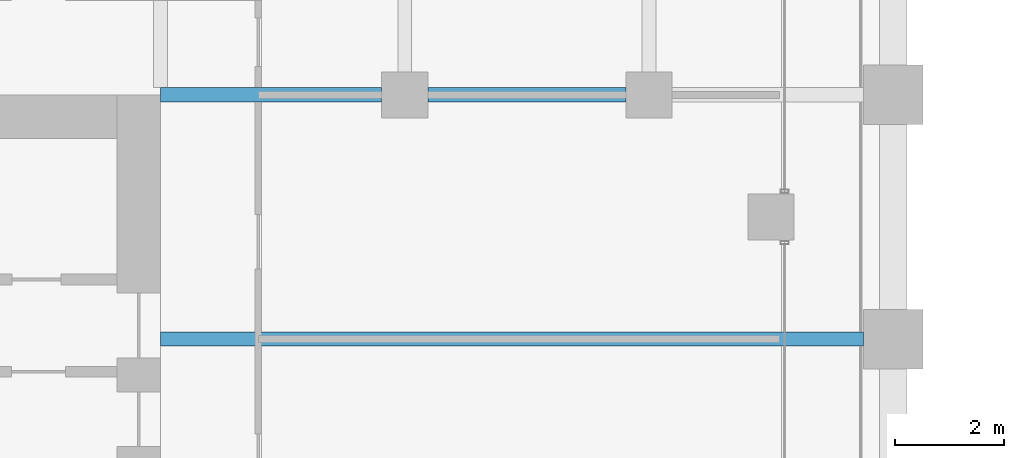
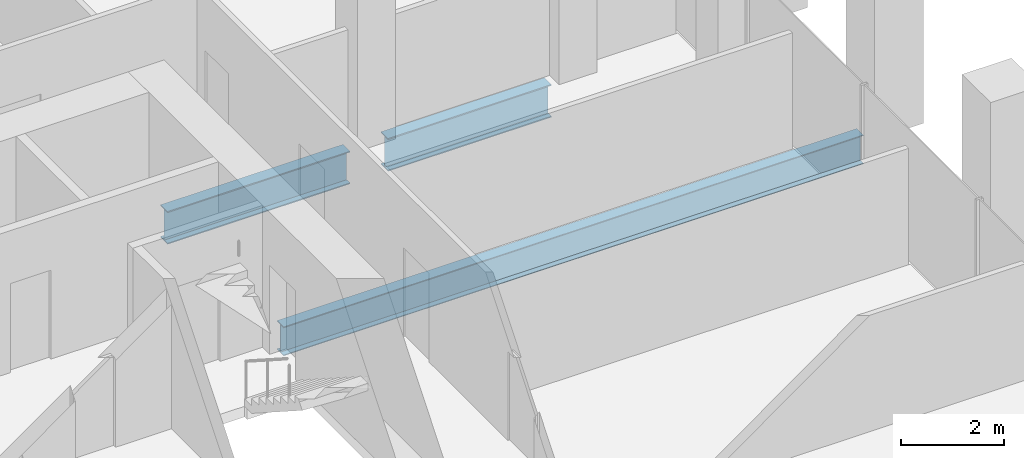
# One storey, part 21 of 56: 3 beams.
"""IFC4 building model written with IfcOpenShell, lengths in metres."""

import ifcopenshell
import ifcopenshell.guid

model = None  # the IFC model being written
_history = None  # IfcOwnerHistory: only IFC2X3 demands one
_inside = {}  # id of a spatial element -> (the spatial element, [elements in it])
_under = {}  # id of a project, library or spatial element -> (it, [spatial elements below it])
_declared = {}  # id of a project -> (the project, [libraries it declares])
_typed = {}  # id of a type object -> (the type object, [elements of that type])
_made_of = {}  # id of a material, layer set ... -> (it, [elements and type objects made of it])


def new_model(schema):
    """Start an empty IFC model of exactly this schema.

    Asked for "IFC4X3", IfcOpenShell would pick the latest addendum, in which some entities
    have other attributes; the version numbers below select the first issue.
    IFC2X3 requires an IfcOwnerHistory on every rooted entity: one is made here for all.
    """
    global model, _history
    if schema == "IFC4X3":
        model = ifcopenshell.file(schema_version=(4, 3, 0, 0))
    else:
        model = ifcopenshell.file(schema=schema)
    _inside.clear()
    _under.clear()
    _declared.clear()
    _typed.clear()
    _made_of.clear()
    _history = None
    if model.schema == "IFC2X3":
        org = make("IfcOrganization", Name="unknown")
        user = make(
            "IfcPersonAndOrganization",
            ThePerson=make("IfcPerson", FamilyName="unknown"),
            TheOrganization=org,
        )
        app = make(
            "IfcApplication",
            ApplicationDeveloper=org,
            Version="unknown",
            ApplicationFullName="unknown",
            ApplicationIdentifier="unknown",
        )
        _history = make(
            "IfcOwnerHistory",
            OwningUser=user,
            OwningApplication=app,
            ChangeAction="ADDED",
            CreationDate=0,
        )
    return model


def make(cls, **values):
    """One entity of the class cls with the attributes given. An attribute that is None is left unset."""
    return model.create_entity(
        cls, **{name: value for name, value in values.items() if value is not None}
    )


def rooted(cls, **values):
    """An entity with a GlobalId (a new one), such as an element, a storey or a relation."""
    return make(cls, GlobalId=ifcopenshell.guid.new(), OwnerHistory=_history, **values)


def si_unit(unit_type, name, prefix=None):
    """IfcSIUnit, for example si_unit("LENGTHUNIT", "METRE", prefix="MILLI")."""
    return make("IfcSIUnit", UnitType=unit_type, Prefix=prefix, Name=name)


def assignment(units):
    """IfcUnitAssignment: the units of a project."""
    return None if units is None else make("IfcUnitAssignment", Units=units)


def point(xyz):
    """IfcCartesianPoint."""
    return None if xyz is None else make("IfcCartesianPoint", Coordinates=xyz)


def direction(xyz):
    """IfcDirection."""
    return None if xyz is None else make("IfcDirection", DirectionRatios=xyz)


def frame(location, z_axis=None, x_axis=None):
    """IfcAxis2Placement3D, a coordinate frame: its origin and axes. An axis left out is left unset."""
    return make(
        "IfcAxis2Placement3D",
        Location=point(location),
        Axis=direction(z_axis),
        RefDirection=direction(x_axis),
    )


def frame_2d(location, x_axis=None):
    """IfcAxis2Placement2D, a coordinate frame in the plane: its origin and x axis."""
    return make(
        "IfcAxis2Placement2D", Location=point(location), RefDirection=direction(x_axis)
    )


def origin():
    """The frame at (0, 0, 0) with its axes left unset."""
    return frame((0.0, 0.0, 0.0))


def origin_2d():
    """The frame at (0, 0) in the plane with its x axis left unset."""
    return frame_2d((0.0, 0.0))


def place(relative_to, where):
    """IfcLocalPlacement: puts the frame where relative to a parent placement (None: the world)."""
    return make(
        "IfcLocalPlacement", PlacementRelTo=relative_to, RelativePlacement=where
    )


def context(
    kind, dimensions, precision=None, world=None, true_north=None, identifier=None
):
    """IfcGeometricRepresentationContext, for example the 3D "Model" context."""
    return make(
        "IfcGeometricRepresentationContext",
        ContextIdentifier=identifier,
        ContextType=kind,
        CoordinateSpaceDimension=dimensions,
        Precision=precision,
        WorldCoordinateSystem=world,
        TrueNorth=true_north,
    )


def subcontext(parent, identifier, kind, view, scale=None):
    """IfcGeometricRepresentationSubContext, for example "Body" below "Model"."""
    return make(
        "IfcGeometricRepresentationSubContext",
        ContextIdentifier=identifier,
        ContextType=kind,
        ParentContext=parent,
        TargetScale=scale,
        TargetView=view,
    )


def project(units=None, contexts=None):
    """IfcProject with its units and contexts."""
    return rooted(
        "IfcProject",
        Name="project",
        RepresentationContexts=contexts,
        UnitsInContext=assignment(units),
    )


def spatial(cls, under=None, at=None, **own):
    """A site, building, storey or space (cls), placed at a placement, below another one or the project."""
    s = rooted(cls, ObjectPlacement=at, **own)
    if under is not None:
        _under.setdefault(under.id(), (under, []))[1].append(s)
    return s


def profile(cls, at=None, kind="AREA", **sizes):
    """A parametric profile (cls). Its sizes go by their IFC names, for example OverallWidth=200.0."""
    return make(cls, ProfileType=kind, Position=at, **sizes)


def i_section(**sizes):
    """IfcIShapeProfileDef."""
    return profile("IfcIShapeProfileDef", **sizes)


def extrude(swept, where, along, depth):
    """IfcExtrudedAreaSolid: the profile swept, set in the frame where, extruded along a direction by depth."""
    return make(
        "IfcExtrudedAreaSolid",
        SweptArea=swept,
        Position=where,
        ExtrudedDirection=direction(along),
        Depth=depth,
    )


def shape(context_of_items, identifier, shape_type, items):
    """IfcShapeRepresentation: the items that make up one representation, for example the "Body"."""
    return make(
        "IfcShapeRepresentation",
        ContextOfItems=context_of_items,
        RepresentationIdentifier=identifier,
        RepresentationType=shape_type,
        Items=items,
    )


def material(Name=None, Category=None):
    """IfcMaterial."""
    return make("IfcMaterial", Name=Name, Category=Category)


def material_profile(
    of_material, cross_section, Name=None, Category=None, Priority=None
):
    """IfcMaterialProfile: a cross section and its material."""
    return make(
        "IfcMaterialProfile",
        Name=Name,
        Material=of_material,
        Profile=cross_section,
        Priority=Priority,
        Category=Category,
    )


def profile_set(profiles, Name=None, composite=None):
    """IfcMaterialProfileSet."""
    return make(
        "IfcMaterialProfileSet",
        Name=Name,
        MaterialProfiles=profiles,
        CompositeProfile=composite,
    )


def made_of(thing, what):
    """Note that an element or type object is made of a material, layer set ...; save() writes the relation."""
    if what is not None:
        _made_of.setdefault(what.id(), (what, []))[1].append(thing)
    return thing


def type_object(cls, material=None, **own):
    """A type object (cls), such as IfcWallType, which elements share."""
    return made_of(rooted(cls, **own), material)


def element(
    cls,
    number,
    at=None,
    inside=None,
    cuts=None,
    type_object=None,
    material=None,
    context=None,
    identifier="Body",
    shape_type=None,
    held_by="IfcProductDefinitionShape",
    body=None,
    shapes=None,
    **own,
):
    """One element of the class cls, such as IfcWall. Its Tag is "e" and its number.

    at: its placement. inside: the storey or other place that contains it. cuts: it is an
    opening in that element (IfcRelVoidsElement). A single representation is given by context,
    identifier, shape_type and body (its items); several are given by shapes. held_by: the class
    of the entity that holds the representations. save() writes the other relations.
    """
    e = rooted(cls, Tag="e%d" % number, ObjectPlacement=at, **own)
    if body is not None:
        shapes = [shape(context, identifier, shape_type, body)]
    if shapes is not None:
        e.Representation = make(held_by, Representations=shapes)
    if inside is not None:
        _inside.setdefault(inside.id(), (inside, []))[1].append(e)
    if cuts is not None:
        rooted(
            "IfcRelVoidsElement", RelatingBuildingElement=cuts, RelatedOpeningElement=e
        )
    if type_object is not None:
        _typed.setdefault(type_object.id(), (type_object, []))[1].append(e)
    return made_of(e, material)


def aggregate(whole, parts):
    """IfcRelAggregates: a whole, such as a stair, and the parts it consists of."""
    return rooted("IfcRelAggregates", RelatingObject=whole, RelatedObjects=parts)


def save(model, path):
    """Write the relations noted so far, then the file.

    IfcRelAggregates (storeys below a building ...), IfcRelContainedInSpatialStructure (elements
    in a storey), IfcRelDefinesByType, IfcRelAssociatesMaterial and IfcRelDeclares: one each for
    every whole, place, type object, material and project.
    """
    for whole, parts in _under.values():
        aggregate(whole, parts)
    for where, things in _inside.values():
        rooted(
            "IfcRelContainedInSpatialStructure",
            RelatedElements=things,
            RelatingStructure=where,
        )
    for kind, things in _typed.values():
        rooted("IfcRelDefinesByType", RelatedObjects=things, RelatingType=kind)
    for what, things in _made_of.values():
        rooted("IfcRelAssociatesMaterial", RelatedObjects=things, RelatingMaterial=what)
    for by, libraries in _declared.values():
        rooted("IfcRelDeclares", RelatingContext=by, RelatedDefinitions=libraries)
    model.write(path)


model = new_model("IFC4")

# Units and contexts
model_context = context("Model", 3, precision=1e-05, world=origin(), true_north=direction((0.0, 1.0)))
body_context = subcontext(model_context, "Body", "Model", "MODEL_VIEW")
ifc_project = project(units=[si_unit("LENGTHUNIT", "METRE"), si_unit("AREAUNIT", "SQUARE_METRE"), si_unit("VOLUMEUNIT", "CUBIC_METRE"), si_unit("PLANEANGLEUNIT", "RADIAN"), si_unit("MASSUNIT", "GRAM", prefix="KILO")], contexts=[model_context])

# Site, building, storey
site_placement = place(None, origin())
site = spatial("IfcSite", under=ifc_project, at=site_placement, CompositionType="ELEMENT")
building_placement = place(site_placement, origin())
building = spatial("IfcBuilding", under=site, at=building_placement, Name="Altepetl Exchange Towers", CompositionType="ELEMENT")
storey_placement = place(building_placement, frame((0.0, 0.0, 69.0)))
storey = spatial("IfcBuildingStorey", under=building, at=storey_placement, Name="L16", CompositionType="ELEMENT", Elevation=69.0)

# Beams
ifc_material = material(Name="Steel S355", Category="steel")
ifc_material_profile_1 = material_profile(ifc_material, i_section(OverallWidth=0.25390625, OverallDepth=0.68408203125, WebThickness=0.012451171875, FlangeThickness=0.018798828125, at=origin_2d()), Name="W27X94")
ifc_profile_set_1 = profile_set([ifc_material_profile_1], Name="Steel S355")
beam_type_1 = type_object("IfcBeamType", Name="Floor beam W27X94", PredefinedType="BEAM", material=ifc_profile_set_1)
beam_1_placement = place(storey_placement, frame((58.5, 54.0, -0.491943359375), z_axis=(1.0, 0.0, 0.0), x_axis=(0.0, 1.0, 0.0)))
element("IfcBeam", 1, at=beam_1_placement, inside=storey, type_object=beam_type_1, Name="bm:A:L16:011", PredefinedType="BEAM", context=body_context, shape_type="SweptSolid", body=[
    extrude(i_section(OverallWidth=0.25390625, OverallDepth=0.68408203125, WebThickness=0.012451171875, FlangeThickness=0.018798828125, at=origin_2d()), origin(), (0.0, 0.0, 1.0), 12.949951171875),
])
ifc_material_profile_2 = material_profile(ifc_material, i_section(OverallWidth=0.26806640625, OverallDepth=0.77392578125, WebThickness=0.015380859375, FlangeThickness=0.025390625, at=origin_2d()), Name="W30X132")
ifc_profile_set_2 = profile_set([ifc_material_profile_2], Name="Steel S355")
beam_type_2 = type_object("IfcBeamType", Name="Girder W30X132", PredefinedType="BEAM", material=ifc_profile_set_2)
beam_2_placement = place(storey_placement, frame((58.5, 58.5, -0.537109375), z_axis=(1.0, 0.0, 0.0), x_axis=(0.0, 1.0, 0.0)))
element("IfcBeam", 2, at=beam_2_placement, inside=storey, type_object=beam_type_2, Name="gd:A:L16:000", PredefinedType="BEAM", context=body_context, shape_type="SweptSolid", body=[
    extrude(i_section(OverallWidth=0.26806640625, OverallDepth=0.77392578125, WebThickness=0.015380859375, FlangeThickness=0.025390625, at=origin_2d()), origin(), (0.0, 0.0, 1.0), 4.074951171875),
])
beam_3_placement = place(storey_placement, frame((63.425048828125, 58.5, -0.537109375), z_axis=(1.0, 0.0, 0.0), x_axis=(0.0, 1.0, 0.0)))
element("IfcBeam", 3, at=beam_3_placement, inside=storey, type_object=beam_type_2, Name="gd:A:L16:001", PredefinedType="BEAM", context=body_context, shape_type="SweptSolid", body=[
    extrude(i_section(OverallWidth=0.26806640625, OverallDepth=0.77392578125, WebThickness=0.015380859375, FlangeThickness=0.025390625, at=origin_2d()), origin(), (0.0, 0.0, 1.0), 3.64990234375),
])

save(model, "model.ifc")
